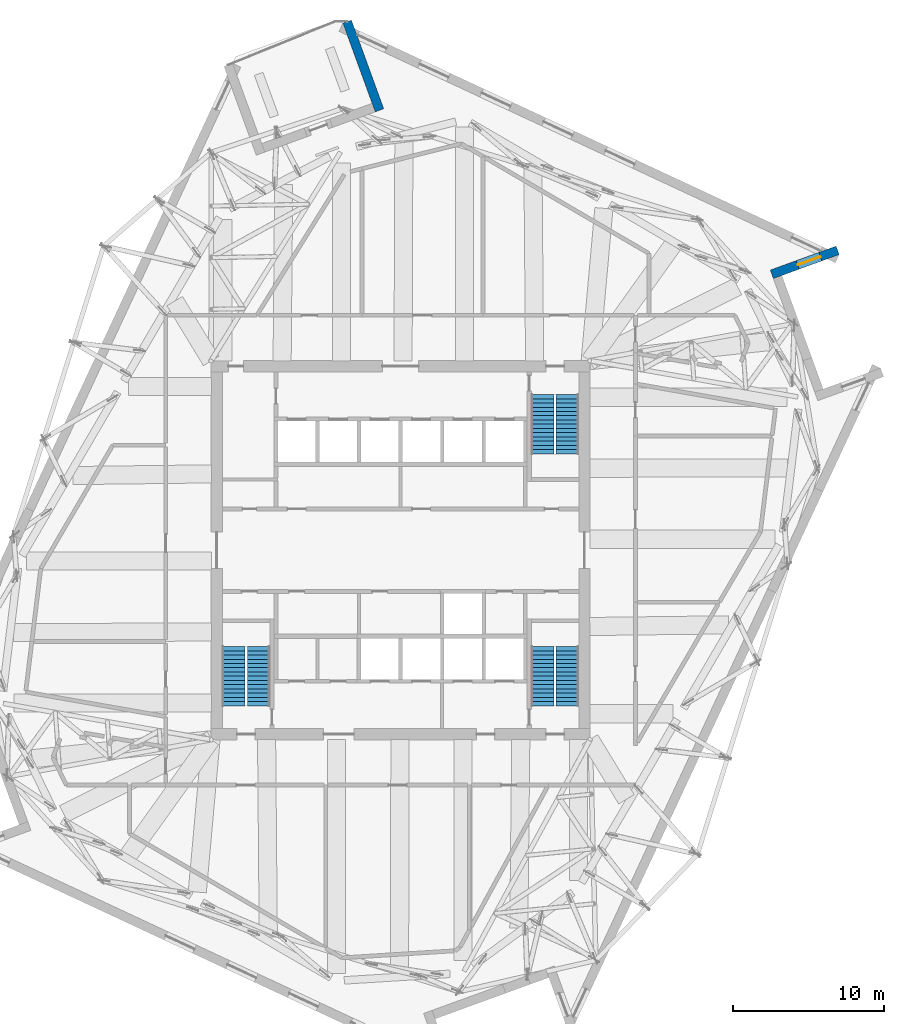
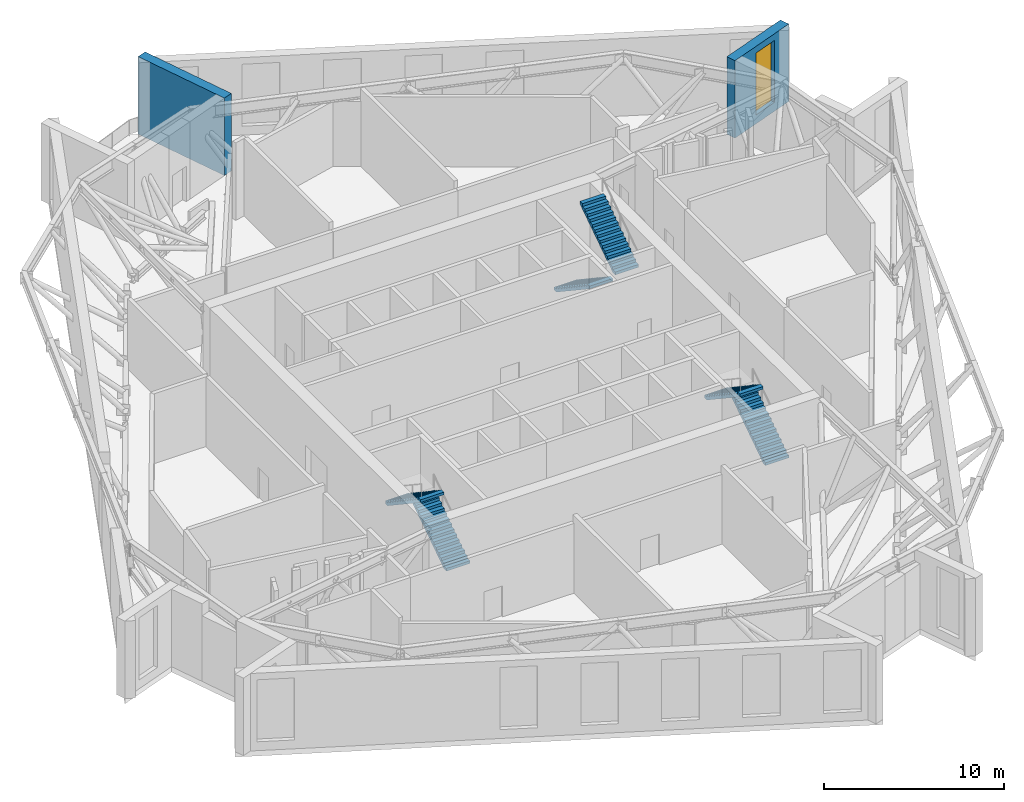
# One storey, part 9 of 15: 6 stair flights, 2 walls, 1 window, 1 opening, 3 elements without a shape of their own.
"""IFC4 building model written with IfcOpenShell, lengths in metres."""

from ifc_helpers import new_model, si_unit, direction, frame, frame_2d, origin, place, context, subcontext, project, spatial, polyline, rectangle, outline, extrude, material, layer, layer_set, type_object, element, fill, aggregate, save


model = new_model("IFC4")

# Units and contexts
model_context = context("Model", 3, precision=1e-05, world=origin(), true_north=direction((0.0, 1.0)))
body_context = subcontext(model_context, "Body", "Model", "MODEL_VIEW")
ifc_project = project(units=[si_unit("LENGTHUNIT", "METRE"), si_unit("AREAUNIT", "SQUARE_METRE"), si_unit("VOLUMEUNIT", "CUBIC_METRE"), si_unit("PLANEANGLEUNIT", "RADIAN"), si_unit("MASSUNIT", "GRAM", prefix="KILO")], contexts=[model_context])

# Site, building, storey
site_placement = place(None, origin())
site = spatial("IfcSite", under=ifc_project, at=site_placement, CompositionType="ELEMENT")
building_placement = place(site_placement, origin())
building = spatial("IfcBuilding", under=site, at=building_placement, Name="Dilmun Exchange Tower", CompositionType="ELEMENT")
storey_placement = place(building_placement, frame((0.0, 0.0, 290.89990234375)))
storey = spatial("IfcBuildingStorey", under=building, at=storey_placement, Name="L69", CompositionType="ELEMENT", Elevation=290.89990234375)

# Wall, opening, window
ifc_material_1 = material(Name="Precast concrete C50/60", Category="concrete")
ifc_layer = layer(ifc_material_1, 0.60009765625)
ifc_layer_set = layer_set([ifc_layer], Name="Precast concrete C50/60")
wall_type = type_object("IfcWallType", Name="Precast stone-clad wall 600", PredefinedType="STANDARD", material=ifc_layer_set)
wall_1_placement = place(storey_placement, frame((24.572509765625, 18.26025390625, 0.0), z_axis=(0.0, 0.0, 1.0), x_axis=(0.939698052097, 0.342005220552, 0.0)))
wall_1 = element("IfcWall", 1, at=wall_1_placement, inside=storey, type_object=wall_type, Name="Facade wall L69-14", PredefinedType="STANDARD", context=body_context, shape_type="SweptSolid", body=[
    extrude(rectangle(XDim=4.6357421875, YDim=0.60009765625, at=frame_2d((2.31787109375, 0.0))), origin(), (0.0, 0.0, 1.0), 5.25),
])
opening_placement = place(wall_1_placement, frame((1.81787109375, 0.0, 0.60009765625)))
opening = element("IfcOpeningElement", 2, at=opening_placement, cuts=wall_1, Name="Opening LV160-420", PredefinedType="OPENING", context=body_context, shape_type="SweptSolid", body=[
    extrude(rectangle(XDim=1.60009765625, YDim=4.199951171875, at=frame_2d((0.800048828125, 2.10009765625))), frame((0.0, 0.31005859375, 0.0), z_axis=(0.0, -1.0, 0.0), x_axis=(1.0, 0.0, 0.0)), (0.0, 0.0, 1.0), 0.6201171875),
])
ifc_material_2 = material(Name="Anodised aluminium louvre blades with sand trap", Category="aluminium")
window_type = type_object("IfcWindowType", Name="Plant louvre 1600 x 4200", PartitioningType="SINGLE_PANEL", PredefinedType="USERDEFINED", material=ifc_material_2)
window_placement = place(opening_placement, origin())
window = element("IfcWindow", 3, at=window_placement, inside=storey, type_object=window_type, Name="Plant louvre 15.1", ObjectType="LOUVRE", OverallHeight=4.199951171875, OverallWidth=1.60009765625, PartitioningType="SINGLE_PANEL", PredefinedType="USERDEFINED", context=body_context, shape_type="SweptSolid", body=[
    extrude(rectangle(XDim=1.60009765625, YDim=4.199951171875, at=frame_2d((0.800048828125, 2.10009765625))), frame((0.0, 0.030029296875, 0.0), z_axis=(0.0, -1.0, 0.0), x_axis=(1.0, 0.0, 0.0)), (0.0, 0.0, 1.0), 0.06005859375),
])
fill(opening, window)

# Wall
wall_2_placement = place(storey_placement, frame((-3.5341796875, 34.9833984375, 0.0), z_axis=(0.0, 0.0, 1.0), x_axis=(0.342000388628, -0.939699810673, 0.0)))
element("IfcWall", 4, at=wall_2_placement, inside=storey, type_object=wall_type, Name="Facade wall L69-00-0B", PredefinedType="STANDARD", context=body_context, shape_type="SweptSolid", body=[
    extrude(rectangle(XDim=6.246337890625, YDim=0.60009765625, at=frame_2d((3.123046875, 0.0))), origin(), (0.0, 0.0, 1.0), 5.25),
])

# Stair, stair flights
ifc_material_3 = material(Name="Concrete C40/50", Category="concrete")
stair_type = type_object("IfcStairType", Name="Exit stair 1500 half-turn", PredefinedType="HALF_TURN_STAIR", material=ifc_material_3)
stair_1_placement = place(storey_placement, origin())
stair_1 = element("IfcStair", 5, at=stair_1_placement, inside=storey, type_object=stair_type, Name="L69 Protected exit stair ST1", PredefinedType="HALF_TURN_STAIR")
stair_flight_type = type_object("IfcStairFlightType", Name="Exit stair flight 1500", PredefinedType="STRAIGHT", material=ifc_material_3)
stair_flight_1_placement = place(storey_placement, frame((9.39990234375, 10.300048828125, 0.0), z_axis=(0.0, 0.0, 1.0), x_axis=(0.0, -1.0, 0.0)))
stair_flight_1 = element("IfcStairFlight", 6, at=stair_flight_1_placement, type_object=stair_flight_type, Name="ST1 flight 1", NumberOfRisers=15, NumberOfTreads=14, PredefinedType="STRAIGHT", RiserHeight=0.186666667, TreadLength=0.28, context=body_context, shape_type="SweptSolid", body=[
    extrude(outline(polyline([(0.0, 0.0), (0.0, 0.186767578125), (0.280029296875, 0.186767578125), (0.280029296875, 0.373291015625), (0.56005859375, 0.373291015625), (0.56005859375, 0.56005859375), (0.840087890625, 0.56005859375), (0.840087890625, 0.74658203125), (1.1201171875, 0.74658203125), (1.1201171875, 0.933349609375), (1.39990234375, 0.933349609375), (1.39990234375, 1.1201171875), (1.679931640625, 1.1201171875), (1.679931640625, 1.306640625), (1.9599609375, 1.306640625), (1.9599609375, 1.493408203125), (2.239990234375, 1.493408203125), (2.239990234375, 1.679931640625), (2.52001953125, 1.679931640625), (2.52001953125, 1.86669921875), (2.800048828125, 1.86669921875), (2.800048828125, 2.05322265625), (3.080078125, 2.05322265625), (3.080078125, 2.239990234375), (3.360107421875, 2.239990234375), (3.360107421875, 2.4267578125), (3.639892578125, 2.4267578125), (3.639892578125, 2.61328125), (3.919921875, 2.61328125), (3.919921875, 2.800048828125), (3.919921875, 2.43310546875), (0.270263671875, 0.0), (0.0, 0.0)])), frame((0.0, 0.75, 0.0), z_axis=(0.0, -1.0, 0.0), x_axis=(1.0, 0.0, 0.0)), (0.0, 0.0, 1.0), 1.5),
])
stair_flight_2_placement = place(storey_placement, frame((11.050048828125, 6.3798828125, 2.800048828125), z_axis=(0.0, 0.0, 1.0), x_axis=(0.0, 1.0, 0.0)))
stair_flight_2 = element("IfcStairFlight", 7, at=stair_flight_2_placement, type_object=stair_flight_type, Name="ST1 flight 2", NumberOfRisers=15, NumberOfTreads=14, PredefinedType="STRAIGHT", RiserHeight=0.186666667, TreadLength=0.28, context=body_context, shape_type="SweptSolid", body=[
    extrude(outline(polyline([(0.0, 0.0), (0.0, 0.186767578125), (0.280029296875, 0.186767578125), (0.280029296875, 0.373291015625), (0.56005859375, 0.373291015625), (0.56005859375, 0.56005859375), (0.840087890625, 0.56005859375), (0.840087890625, 0.74658203125), (1.1201171875, 0.74658203125), (1.1201171875, 0.933349609375), (1.39990234375, 0.933349609375), (1.39990234375, 1.1201171875), (1.679931640625, 1.1201171875), (1.679931640625, 1.306640625), (1.9599609375, 1.306640625), (1.9599609375, 1.493408203125), (2.239990234375, 1.493408203125), (2.239990234375, 1.679931640625), (2.52001953125, 1.679931640625), (2.52001953125, 1.86669921875), (2.800048828125, 1.86669921875), (2.800048828125, 2.05322265625), (3.080078125, 2.05322265625), (3.080078125, 2.239990234375), (3.360107421875, 2.239990234375), (3.360107421875, 2.4267578125), (3.639892578125, 2.4267578125), (3.639892578125, 2.61328125), (3.919921875, 2.61328125), (3.919921875, 2.800048828125), (3.919921875, 2.43310546875), (0.270263671875, 0.0), (0.0, 0.0)])), frame((0.0, 0.75, 0.0), z_axis=(0.0, -1.0, 0.0), x_axis=(1.0, 0.0, 0.0)), (0.0, 0.0, 1.0), 1.5),
])
aggregate(stair_1, [stair_flight_1, stair_flight_2])

stair_2_placement = place(storey_placement, origin())
stair_2 = element("IfcStair", 8, at=stair_2_placement, inside=storey, type_object=stair_type, Name="L69 Protected exit stair ST2", PredefinedType="HALF_TURN_STAIR")
stair_flight_3_placement = place(storey_placement, frame((-9.39990234375, -10.300048828125, 0.0), z_axis=(0.0, 0.0, 1.0), x_axis=(0.0, 1.0, 0.0)))
stair_flight_3 = element("IfcStairFlight", 9, at=stair_flight_3_placement, type_object=stair_flight_type, Name="ST2 flight 1", NumberOfRisers=15, NumberOfTreads=14, PredefinedType="STRAIGHT", RiserHeight=0.186666667, TreadLength=0.28, context=body_context, shape_type="SweptSolid", body=[
    extrude(outline(polyline([(0.0, 0.0), (0.0, 0.186767578125), (0.280029296875, 0.186767578125), (0.280029296875, 0.373291015625), (0.56005859375, 0.373291015625), (0.56005859375, 0.56005859375), (0.840087890625, 0.56005859375), (0.840087890625, 0.74658203125), (1.1201171875, 0.74658203125), (1.1201171875, 0.933349609375), (1.39990234375, 0.933349609375), (1.39990234375, 1.1201171875), (1.679931640625, 1.1201171875), (1.679931640625, 1.306640625), (1.9599609375, 1.306640625), (1.9599609375, 1.493408203125), (2.239990234375, 1.493408203125), (2.239990234375, 1.679931640625), (2.52001953125, 1.679931640625), (2.52001953125, 1.86669921875), (2.800048828125, 1.86669921875), (2.800048828125, 2.05322265625), (3.080078125, 2.05322265625), (3.080078125, 2.239990234375), (3.360107421875, 2.239990234375), (3.360107421875, 2.4267578125), (3.639892578125, 2.4267578125), (3.639892578125, 2.61328125), (3.919921875, 2.61328125), (3.919921875, 2.800048828125), (3.919921875, 2.43310546875), (0.270263671875, 0.0), (0.0, 0.0)])), frame((0.0, 0.75, 0.0), z_axis=(0.0, -1.0, 0.0), x_axis=(1.0, 0.0, 0.0)), (0.0, 0.0, 1.0), 1.5),
])
stair_flight_4_placement = place(storey_placement, frame((-11.050048828125, -6.3798828125, 2.800048828125), z_axis=(0.0, 0.0, 1.0), x_axis=(0.0, -1.0, 0.0)))
stair_flight_4 = element("IfcStairFlight", 10, at=stair_flight_4_placement, type_object=stair_flight_type, Name="ST2 flight 2", NumberOfRisers=15, NumberOfTreads=14, PredefinedType="STRAIGHT", RiserHeight=0.186666667, TreadLength=0.28, context=body_context, shape_type="SweptSolid", body=[
    extrude(outline(polyline([(0.0, 0.0), (0.0, 0.186767578125), (0.280029296875, 0.186767578125), (0.280029296875, 0.373291015625), (0.56005859375, 0.373291015625), (0.56005859375, 0.56005859375), (0.840087890625, 0.56005859375), (0.840087890625, 0.74658203125), (1.1201171875, 0.74658203125), (1.1201171875, 0.933349609375), (1.39990234375, 0.933349609375), (1.39990234375, 1.1201171875), (1.679931640625, 1.1201171875), (1.679931640625, 1.306640625), (1.9599609375, 1.306640625), (1.9599609375, 1.493408203125), (2.239990234375, 1.493408203125), (2.239990234375, 1.679931640625), (2.52001953125, 1.679931640625), (2.52001953125, 1.86669921875), (2.800048828125, 1.86669921875), (2.800048828125, 2.05322265625), (3.080078125, 2.05322265625), (3.080078125, 2.239990234375), (3.360107421875, 2.239990234375), (3.360107421875, 2.4267578125), (3.639892578125, 2.4267578125), (3.639892578125, 2.61328125), (3.919921875, 2.61328125), (3.919921875, 2.800048828125), (3.919921875, 2.43310546875), (0.270263671875, 0.0), (0.0, 0.0)])), frame((0.0, 0.75, 0.0), z_axis=(0.0, -1.0, 0.0), x_axis=(1.0, 0.0, 0.0)), (0.0, 0.0, 1.0), 1.5),
])
aggregate(stair_2, [stair_flight_3, stair_flight_4])

stair_3_placement = place(storey_placement, origin())
stair_3 = element("IfcStair", 11, at=stair_3_placement, inside=storey, type_object=stair_type, Name="L69 Protected exit stair ST3", PredefinedType="HALF_TURN_STAIR")
stair_flight_5_placement = place(storey_placement, frame((11.050048828125, -10.300048828125, 0.0), z_axis=(0.0, 0.0, 1.0), x_axis=(0.0, 1.0, 0.0)))
stair_flight_5 = element("IfcStairFlight", 12, at=stair_flight_5_placement, type_object=stair_flight_type, Name="ST3 flight 1", NumberOfRisers=15, NumberOfTreads=14, PredefinedType="STRAIGHT", RiserHeight=0.186666667, TreadLength=0.28, context=body_context, shape_type="SweptSolid", body=[
    extrude(outline(polyline([(0.0, 0.0), (0.0, 0.186767578125), (0.280029296875, 0.186767578125), (0.280029296875, 0.373291015625), (0.56005859375, 0.373291015625), (0.56005859375, 0.56005859375), (0.840087890625, 0.56005859375), (0.840087890625, 0.74658203125), (1.1201171875, 0.74658203125), (1.1201171875, 0.933349609375), (1.39990234375, 0.933349609375), (1.39990234375, 1.1201171875), (1.679931640625, 1.1201171875), (1.679931640625, 1.306640625), (1.9599609375, 1.306640625), (1.9599609375, 1.493408203125), (2.239990234375, 1.493408203125), (2.239990234375, 1.679931640625), (2.52001953125, 1.679931640625), (2.52001953125, 1.86669921875), (2.800048828125, 1.86669921875), (2.800048828125, 2.05322265625), (3.080078125, 2.05322265625), (3.080078125, 2.239990234375), (3.360107421875, 2.239990234375), (3.360107421875, 2.4267578125), (3.639892578125, 2.4267578125), (3.639892578125, 2.61328125), (3.919921875, 2.61328125), (3.919921875, 2.800048828125), (3.919921875, 2.43310546875), (0.270263671875, 0.0), (0.0, 0.0)])), frame((0.0, 0.75, 0.0), z_axis=(0.0, -1.0, 0.0), x_axis=(1.0, 0.0, 0.0)), (0.0, 0.0, 1.0), 1.5),
])
stair_flight_6_placement = place(storey_placement, frame((9.39990234375, -6.3798828125, 2.800048828125), z_axis=(0.0, 0.0, 1.0), x_axis=(0.0, -1.0, 0.0)))
stair_flight_6 = element("IfcStairFlight", 13, at=stair_flight_6_placement, type_object=stair_flight_type, Name="ST3 flight 2", NumberOfRisers=15, NumberOfTreads=14, PredefinedType="STRAIGHT", RiserHeight=0.186666667, TreadLength=0.28, context=body_context, shape_type="SweptSolid", body=[
    extrude(outline(polyline([(0.0, 0.0), (0.0, 0.186767578125), (0.280029296875, 0.186767578125), (0.280029296875, 0.373291015625), (0.56005859375, 0.373291015625), (0.56005859375, 0.56005859375), (0.840087890625, 0.56005859375), (0.840087890625, 0.74658203125), (1.1201171875, 0.74658203125), (1.1201171875, 0.933349609375), (1.39990234375, 0.933349609375), (1.39990234375, 1.1201171875), (1.679931640625, 1.1201171875), (1.679931640625, 1.306640625), (1.9599609375, 1.306640625), (1.9599609375, 1.493408203125), (2.239990234375, 1.493408203125), (2.239990234375, 1.679931640625), (2.52001953125, 1.679931640625), (2.52001953125, 1.86669921875), (2.800048828125, 1.86669921875), (2.800048828125, 2.05322265625), (3.080078125, 2.05322265625), (3.080078125, 2.239990234375), (3.360107421875, 2.239990234375), (3.360107421875, 2.4267578125), (3.639892578125, 2.4267578125), (3.639892578125, 2.61328125), (3.919921875, 2.61328125), (3.919921875, 2.800048828125), (3.919921875, 2.43310546875), (0.270263671875, 0.0), (0.0, 0.0)])), frame((0.0, 0.75, 0.0), z_axis=(0.0, -1.0, 0.0), x_axis=(1.0, 0.0, 0.0)), (0.0, 0.0, 1.0), 1.5),
])
aggregate(stair_3, [stair_flight_5, stair_flight_6])

save(model, "model.ifc")
